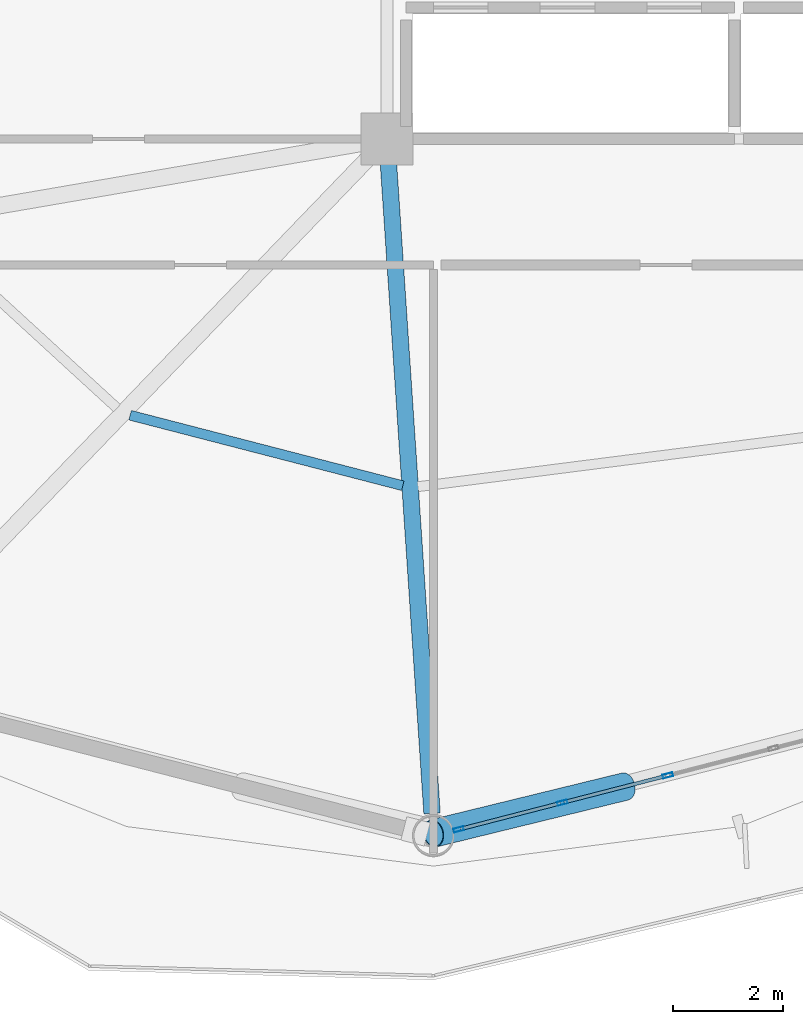
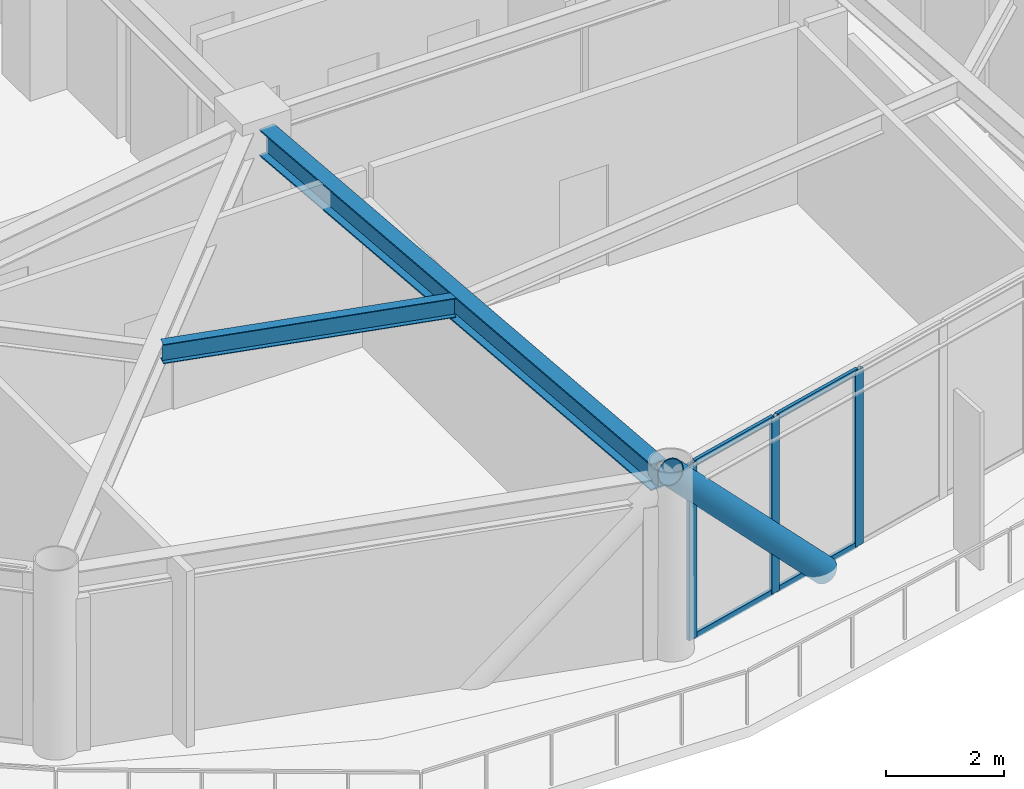
# One storey, part 6 of 23: 8 members, 2 beams, 1 element without a shape of its own.
"""IFC4 building model written with IfcOpenShell, lengths in metres."""

from ifc_helpers import new_model, si_unit, direction, frame, origin, origin_2d, place, context, subcontext, project, spatial, hollow_rectangle, hollow_circle, i_section, extrude, material, layer, layer_set, material_profile, profile_set, type_object, element, aggregate, save


model = new_model("IFC4")

# Units and contexts
model_context = context("Model", 3, precision=1e-05, world=origin(), true_north=direction((0.0, 1.0)))
body_context = subcontext(model_context, "Body", "Model", "MODEL_VIEW")
ifc_project = project(units=[si_unit("LENGTHUNIT", "METRE"), si_unit("AREAUNIT", "SQUARE_METRE"), si_unit("VOLUMEUNIT", "CUBIC_METRE"), si_unit("PLANEANGLEUNIT", "RADIAN"), si_unit("MASSUNIT", "GRAM", prefix="KILO")], contexts=[model_context])

# Site, building, storey
site_placement = place(None, origin())
site = spatial("IfcSite", under=ifc_project, at=site_placement, CompositionType="ELEMENT")
building_placement = place(site_placement, origin())
building = spatial("IfcBuilding", under=site, at=building_placement, Name="Varnakorn Sky Granary", CompositionType="ELEMENT")
storey_placement = place(building_placement, frame((0.0, 0.0, 130.5)))
storey = spatial("IfcBuildingStorey", under=building, at=storey_placement, Name="L32", CompositionType="ELEMENT", Elevation=130.5)

# Beams
ifc_material_1 = material(Name="Steel S355JR", Category="steel")
ifc_material_profile_1 = material_profile(ifc_material_1, i_section(OverallWidth=0.300048828125, OverallDepth=0.550048828125, WebThickness=0.014892578125, FlangeThickness=0.029052734375, at=origin_2d()), Name="HE 550 B")
ifc_profile_set_1 = profile_set([ifc_material_profile_1], Name="Steel S355JR")
beam_type_1 = type_object("IfcBeamType", Name="BM-RAD-Z3", PredefinedType="BEAM", material=ifc_profile_set_1)
beam_1_placement = place(storey_placement, frame((-2.322021484375, -7.01904296875, 3.364990234375), z_axis=(0.066905026404, -0.997759348461, 0.0), x_axis=(0.997759348461, 0.066905026404, 0.0)))
element("IfcBeam", 1, at=beam_1_placement, inside=storey, type_object=beam_type_1, Name="Radial Floor Girder RG10 L32", PredefinedType="BEAM", context=body_context, shape_type="SweptSolid", body=[
    extrude(i_section(OverallWidth=0.300048828125, OverallDepth=0.550048828125, WebThickness=0.014892578125, FlangeThickness=0.029052734375, at=origin_2d()), origin(), (0.0, 0.0, 1.0), 11.92138671875),
])
ifc_material_profile_2 = material_profile(ifc_material_1, i_section(OverallWidth=0.179931640625, OverallDepth=0.39990234375, WebThickness=0.008544921875, FlangeThickness=0.013427734375, at=origin_2d()), Name="IPE 400")
ifc_profile_set_2 = profile_set([ifc_material_profile_2], Name="Steel S355JR")
beam_type_2 = type_object("IfcBeamType", Name="BM-SEC-Z3", PredefinedType="BEAM", material=ifc_profile_set_2)
beam_2_placement = place(storey_placement, frame((-7.037109375, -11.64404296875, 3.43994140625), z_axis=(0.968156038664, -0.250347528044, 0.0), x_axis=(0.250347528044, 0.968156038664, 0.0)))
element("IfcBeam", 2, at=beam_2_placement, inside=storey, type_object=beam_type_2, Name="Secondary Floor Chord Beam MSB09 L32", PredefinedType="BEAM", context=body_context, shape_type="SweptSolid", body=[
    extrude(i_section(OverallWidth=0.179931640625, OverallDepth=0.39990234375, WebThickness=0.008544921875, FlangeThickness=0.013427734375, at=origin_2d()), origin(), (0.0, 0.0, 1.0), 5.142333984375),
])

# Curtain wall, members
ifc_material_2 = material(Name="Anodised Bronze Aluminium Alloy 6063-T6", Category="aluminium")
ifc_layer = layer(ifc_material_2, 0.179931640625, Name="Anodised Bronze Aluminium Alloy 6063-T6")
ifc_layer_set = layer_set([ifc_layer], Name="Anodised Bronze Aluminium Alloy 6063-T6")
curtain_wall_type = type_object("IfcCurtainWallType", Name="CW-FRM-2", PredefinedType="USERDEFINED", material=ifc_layer_set)
curtain_wall_placement = place(storey_placement, origin())
curtain_wall = element("IfcCurtainWall", 3, at=curtain_wall_placement, inside=storey, type_object=curtain_wall_type, Name="Unitised Curtain Wall CW4 CW-L32-B10", ObjectType="CURTAIN WALL", PredefinedType="USERDEFINED")
ifc_material_profile_3 = material_profile(ifc_material_2, hollow_rectangle(XDim=0.070068359375, YDim=0.18505859375, WallThickness=0.00390625, at=origin_2d()), Name="ALU MULL 70x185")
ifc_profile_set_3 = profile_set([ifc_material_profile_3], Name="Anodised Bronze Aluminium Alloy 6063-T6")
member_type_1 = type_object("IfcMemberType", Name="CW-FRM-2-MULL", PredefinedType="MULLION", material=ifc_profile_set_3)
member_1_placement = place(storey_placement, frame((2.78173828125, -18.221435546875, 0.0), z_axis=(0.0, 0.0, 1.0), x_axis=(0.249777432172, -0.968303276034, 0.0)))
member_1 = element("IfcMember", 4, at=member_1_placement, type_object=member_type_1, Name="CW4 mullion 4", PredefinedType="MULLION", context=body_context, shape_type="SweptSolid", body=[
    extrude(hollow_rectangle(XDim=0.070068359375, YDim=0.18505859375, WallThickness=0.00390625, at=origin_2d()), origin(), (0.0, 0.0, 1.0), 3.639892578125),
])
member_2_placement = place(storey_placement, frame((0.8544921875, -18.71875, 0.0), z_axis=(0.0, 0.0, 1.0), x_axis=(0.249777432172, -0.968303276034, 0.0)))
member_2 = element("IfcMember", 5, at=member_2_placement, type_object=member_type_1, Name="CW4 mullion 5", PredefinedType="MULLION", context=body_context, shape_type="SweptSolid", body=[
    extrude(hollow_rectangle(XDim=0.070068359375, YDim=0.18505859375, WallThickness=0.00390625, at=origin_2d()), origin(), (0.0, 0.0, 1.0), 3.639892578125),
])
member_3_placement = place(storey_placement, frame((-1.0390625, -19.207275390625, 0.0), z_axis=(0.0, 0.0, 1.0), x_axis=(0.249777432172, -0.968303276034, 0.0)))
member_3 = element("IfcMember", 6, at=member_3_placement, type_object=member_type_1, Name="CW4 mullion 6", PredefinedType="MULLION", context=body_context, shape_type="SweptSolid", body=[
    extrude(hollow_rectangle(XDim=0.070068359375, YDim=0.18505859375, WallThickness=0.00390625, at=origin_2d()), origin(), (0.0, 0.0, 1.0), 3.639892578125),
])
ifc_material_profile_4 = material_profile(ifc_material_2, hollow_rectangle(XDim=0.06494140625, YDim=0.1201171875, WallThickness=0.00341796875, at=origin_2d()), Name="ALU TRAN 65x120")
ifc_profile_set_4 = profile_set([ifc_material_profile_4], Name="Anodised Bronze Aluminium Alloy 6063-T6")
member_type_2 = type_object("IfcMemberType", Name="CW-FRM-2-TRAN", PredefinedType="USERDEFINED", material=ifc_profile_set_4)
member_4_placement = place(storey_placement, frame((2.747802734375, -18.230224609375, 0.032470703125), z_axis=(-0.968298156162, -0.249797279356, 0.0), x_axis=(0.249797279356, -0.968298156162, 0.0)))
member_4 = element("IfcMember", 7, at=member_4_placement, type_object=member_type_2, Name="CW4 transom 4.1", ObjectType="TRANSOM", PredefinedType="USERDEFINED", context=body_context, shape_type="SweptSolid", body=[
    extrude(hollow_rectangle(XDim=0.06494140625, YDim=0.1201171875, WallThickness=0.00341796875, at=origin_2d()), origin(), (0.0, 0.0, 1.0), 1.92041015625),
])
member_5_placement = place(storey_placement, frame((2.747802734375, -18.230224609375, 3.607421875), z_axis=(-0.968298156162, -0.249797279356, 0.0), x_axis=(0.249797279356, -0.968298156162, 0.0)))
member_5 = element("IfcMember", 8, at=member_5_placement, type_object=member_type_2, Name="CW4 transom 4.2", ObjectType="TRANSOM", PredefinedType="USERDEFINED", context=body_context, shape_type="SweptSolid", body=[
    extrude(hollow_rectangle(XDim=0.06494140625, YDim=0.1201171875, WallThickness=0.00341796875, at=origin_2d()), origin(), (0.0, 0.0, 1.0), 1.92041015625),
])
member_6_placement = place(storey_placement, frame((0.820556640625, -18.7275390625, 0.032470703125), z_axis=(-0.968302584484, -0.249780113061, 0.0), x_axis=(0.249780113061, -0.968302584484, 0.0)))
member_6 = element("IfcMember", 9, at=member_6_placement, type_object=member_type_2, Name="CW4 transom 5.1", ObjectType="TRANSOM", PredefinedType="USERDEFINED", context=body_context, shape_type="SweptSolid", body=[
    extrude(hollow_rectangle(XDim=0.06494140625, YDim=0.1201171875, WallThickness=0.00341796875, at=origin_2d()), origin(), (0.0, 0.0, 1.0), 1.885498046875),
])
member_7_placement = place(storey_placement, frame((0.820556640625, -18.7275390625, 3.607421875), z_axis=(-0.968302584484, -0.249780113061, 0.0), x_axis=(0.249780113061, -0.968302584484, 0.0)))
member_7 = element("IfcMember", 10, at=member_7_placement, type_object=member_type_2, Name="CW4 transom 5.2", ObjectType="TRANSOM", PredefinedType="USERDEFINED", context=body_context, shape_type="SweptSolid", body=[
    extrude(hollow_rectangle(XDim=0.06494140625, YDim=0.1201171875, WallThickness=0.00341796875, at=origin_2d()), origin(), (0.0, 0.0, 1.0), 1.885498046875),
])
aggregate(curtain_wall, [member_1, member_2, member_3, member_4, member_5, member_6, member_7])

# Member
ifc_material_3 = material(Name="Steel S460M", Category="steel")
ifc_material_profile_5 = material_profile(ifc_material_3, hollow_circle(Radius=0.25390625, WallThickness=0.01806640625, at=origin_2d()), Name="CHS 508x18")
ifc_profile_set_5 = profile_set([ifc_material_profile_5], Name="Steel S460M")
member_type_3 = type_object("IfcMemberType", Name="MB-DIAG-T2", PredefinedType="BRACE", material=ifc_profile_set_5)
member_8_placement = place(storey_placement, frame((1.9970703125, -18.424072265625, -0.1298828125), z_axis=(-0.670881734588, -0.164020373815, 0.72319777044), x_axis=(0.237490063369, -0.971389967933, 0.0)))
element("IfcMember", 11, at=member_8_placement, inside=storey, type_object=member_type_3, Name="Perimeter CHS Diagrid Brace DG10 L32", PredefinedType="BRACE", context=body_context, shape_type="SweptSolid", body=[
    extrude(hollow_circle(Radius=0.25390625, WallThickness=0.01806640625, at=origin_2d()), origin(), (0.0, 0.0, 1.0), 5.212646484375),
])

save(model, "model.ifc")
